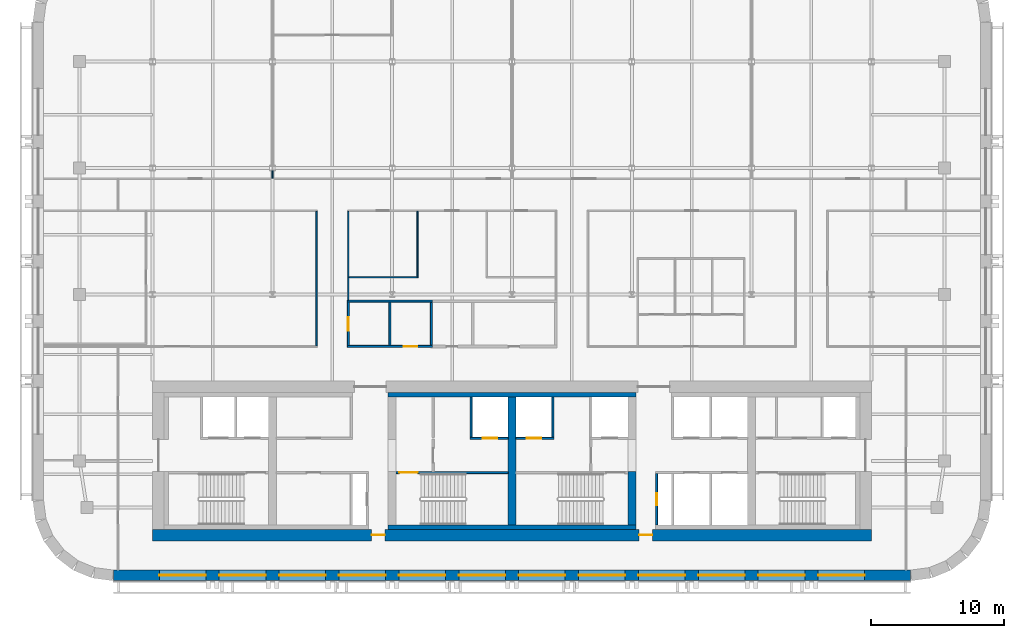
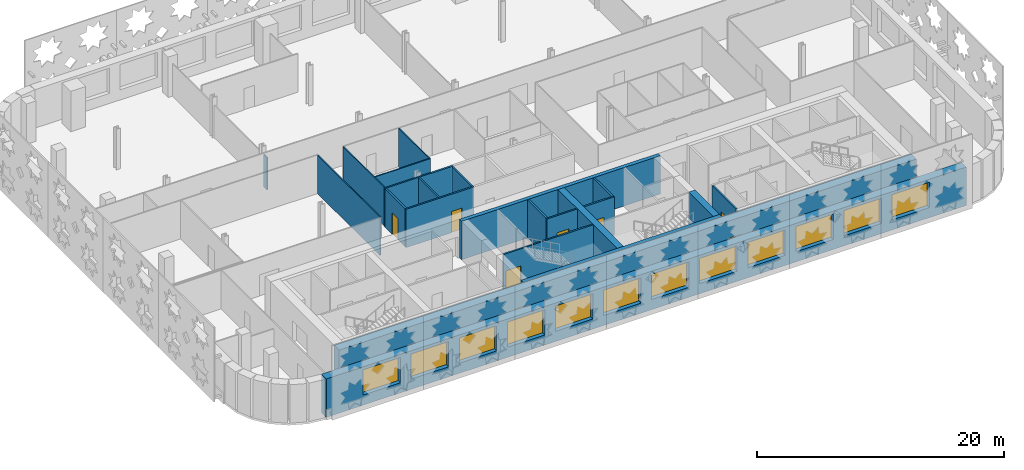
# One storey, part 4 of 12: 22 walls, 12 windows, 8 doors, 20 openings.
"""IFC4 building model written with IfcOpenShell, lengths in metres."""

from ifc_helpers import new_model, si_unit, direction, frame, frame_2d, origin, place, context, subcontext, project, spatial, rectangle, extrude, material, layer, layer_set, type_object, element, fill, save


model = new_model("IFC4")

# Units and contexts
model_context = context("Model", 3, precision=1e-05, world=origin(), true_north=direction((0.0, 1.0)))
body_context = subcontext(model_context, "Body", "Model", "MODEL_VIEW")
ifc_project = project(units=[si_unit("LENGTHUNIT", "METRE"), si_unit("AREAUNIT", "SQUARE_METRE"), si_unit("VOLUMEUNIT", "CUBIC_METRE"), si_unit("PLANEANGLEUNIT", "RADIAN"), si_unit("MASSUNIT", "GRAM", prefix="KILO")], contexts=[model_context])

# Site, building, storey
site_placement = place(None, origin())
site = spatial("IfcSite", under=ifc_project, at=site_placement, CompositionType="ELEMENT")
building_placement = place(site_placement, origin())
building = spatial("IfcBuilding", under=site, at=building_placement, Name="Zellij Exchange Tower", CompositionType="ELEMENT")
storey_placement = place(building_placement, frame((0.0, 0.0, 204.5)))
storey = spatial("IfcBuildingStorey", under=building, at=storey_placement, Name="L47", CompositionType="ELEMENT", Elevation=204.5)

# Walls
ifc_material_1 = material(Name="Concrete C60/75", Category="concrete")
ifc_layer_1 = layer(ifc_material_1, 0.60009765625)
ifc_layer_set_1 = layer_set([ifc_layer_1], Name="Concrete C60/75")
wall_type_1 = type_object("IfcWallType", Name="CORE-CW 600 C60/75", PredefinedType="SHEAR", material=ifc_layer_set_1)
wall_1_placement = place(storey_placement, frame((0.0, -12.800048828125, 0.0), z_axis=(0.0, 0.0, 1.0), x_axis=(0.0, 1.0, 0.0)))
element("IfcWall", 1, at=wall_1_placement, inside=storey, type_object=wall_type_1, Name="Core cross wall x 0 L47", PredefinedType="SHEAR", context=body_context, shape_type="SweptSolid", body=[
    extrude(rectangle(XDim=9.60009765625, YDim=0.60009765625, at=frame_2d((4.800048828125, 0.0))), origin(), (0.0, 0.0, 1.0), 3.800048828125),
])
wall_2_placement = place(storey_placement, frame((9.0, -12.800048828125, 0.0), z_axis=(0.0, 0.0, 1.0), x_axis=(0.0, 1.0, 0.0)))
element("IfcWall", 2, at=wall_2_placement, inside=storey, type_object=wall_type_1, Name="Core cross wall pier x 9 a L47", PredefinedType="SHEAR", context=body_context, shape_type="SweptSolid", body=[
    extrude(rectangle(XDim=4.0, YDim=0.60009765625, at=frame_2d((2.0, 0.0))), origin(), (0.0, 0.0, 1.0), 3.800048828125),
])
ifc_material_2 = material(Name="Concrete C30/37", Category="concrete")
ifc_layer_2 = layer(ifc_material_2, 0.35009765625)
ifc_layer_set_2 = layer_set([ifc_layer_2], Name="Concrete C30/37")
wall_type_2 = type_object("IfcWallType", Name="CORE-LW 350 C30/37", PredefinedType="SHEAR", material=ifc_layer_set_2)
for number, where, z_axis, x_axis, name in (
    (3, (-9.300048828125, -3.02490234375, 0.0), (0.0, 0.0, 1.0), (1.0, 0.0, 0.0), "Core wall lining front.1 L47"),
    (4, (-9.300048828125, -12.97509765625, 0.0), (0.0, 0.0, 1.0), (1.0, 0.0, 0.0), "Core wall lining rear.1 L47"),
):
    element("IfcWall", number, at=place(storey_placement, frame(where, z_axis=z_axis, x_axis=x_axis)), inside=storey, type_object=wall_type_2, Name=name, PredefinedType="SHEAR", context=body_context, shape_type="SweptSolid", body=[
        extrude(rectangle(XDim=18.60009765625, YDim=0.35009765625, at=frame_2d((9.300048828125, 0.0))), origin(), (0.0, 0.0, 1.0), 3.800048828125),
    ])

# Wall, opening, door
ifc_material_3 = material(Name="Gypsum board partition")
ifc_layer_3 = layer(ifc_material_3, 0.14990234375)
ifc_layer_set_3 = layer_set([ifc_layer_3], Name="Gypsum board partition")
wall_type_3 = type_object("IfcWallType", Name="CORE-PW 150 Lift lobby wall", PredefinedType="PARTITIONING", material=ifc_layer_set_3)
wall_3_placement = place(storey_placement, frame((10.875, -12.800048828125, 0.0), z_axis=(0.0, 0.0, 1.0), x_axis=(0.0, 1.0, 0.0)))
wall_3 = element("IfcWall", 5, at=wall_3_placement, inside=storey, type_object=wall_type_3, Name="Lift lobby wall L47", PredefinedType="PARTITIONING", context=body_context, shape_type="SweptSolid", body=[
    extrude(rectangle(XDim=3.85009765625, YDim=0.14990234375, at=frame_2d((1.925048828125, 0.0))), origin(), (0.0, 0.0, 1.0), 3.800048828125),
])
opening_1_placement = place(wall_3_placement, frame((1.47509765625, 0.0, 0.0)))
opening_1 = element("IfcOpeningElement", 6, at=opening_1_placement, cuts=wall_3, Name="Opening CA-24.19", PredefinedType="OPENING", context=body_context, shape_type="SweptSolid", body=[
    extrude(rectangle(XDim=0.89990234375, YDim=2.10009765625, at=frame_2d((0.449951171875, 1.050048828125))), frame((0.0, 0.0869140625, 0.0), z_axis=(0.0, -1.0, 0.0), x_axis=(1.0, 0.0, 0.0)), (0.0, 0.0, 1.0), 0.173828125),
])
ifc_material_4 = material(Name="Hollow metal fire door")
door_type_1 = type_object("IfcDoorType", Name="CORE-D RD Riser door 900x2100 1.5 HR", OperationType="NOTDEFINED", PredefinedType="DOOR", material=ifc_material_4)
door_1_placement = place(opening_1_placement, origin())
door_1 = element("IfcDoor", 7, at=door_1_placement, inside=storey, type_object=door_type_1, Name="Riser door CA-24.19", OperationType="SINGLE_SWING_LEFT", OverallHeight=2.10009765625, OverallWidth=0.89990234375, PredefinedType="DOOR", context=body_context, shape_type="SweptSolid", body=[
    extrude(rectangle(XDim=0.89990234375, YDim=2.10009765625, at=frame_2d((0.449951171875, 1.050048828125))), frame((0.0, 0.02490234375, 0.0), z_axis=(0.0, -1.0, 0.0), x_axis=(1.0, 0.0, 0.0)), (0.0, 0.0, 1.0), 0.050048828125),
])
fill(opening_1, door_1)

# Walls
ifc_material_5 = material(Name="Gypsum shaft wall system")
ifc_layer_4 = layer(ifc_material_5, 0.14990234375)
ifc_layer_set_4 = layer_set([ifc_layer_4], Name="Gypsum shaft wall system")
wall_type_4 = type_object("IfcWallType", Name="CORE-PW 150 Lift shaft wall", PredefinedType="PARTITIONING", material=ifc_layer_set_4)
for number, where, z_axis, x_axis, name in (
    (8, (-3.074951171875, -6.22509765625, 0.0), (0.0, 0.0, 1.0), (0.0, 1.0, 0.0), "Lift shaft wall L47"),
    (9, (3.074951171875, -6.22509765625, 0.0), (0.0, 0.0, 1.0), (0.0, 1.0, 0.0), "Lift shaft wall L47"),
):
    element("IfcWall", number, at=place(storey_placement, frame(where, z_axis=z_axis, x_axis=x_axis)), inside=storey, type_object=wall_type_4, Name=name, PredefinedType="PARTITIONING", context=body_context, shape_type="SweptSolid", body=[
        extrude(rectangle(XDim=3.025146484375, YDim=0.14990234375, at=frame_2d((1.5126953125, 0.0))), origin(), (0.0, 0.0, 1.0), 3.800048828125),
    ])

# Wall, opening, door
wall_4_placement = place(storey_placement, frame((-3.14990234375, -6.300048828125, 0.0), z_axis=(0.0, 0.0, 1.0), x_axis=(1.0, 0.0, 0.0)))
wall_4 = element("IfcWall", 10, at=wall_4_placement, inside=storey, type_object=wall_type_4, Name="Lift shaft wall L47", PredefinedType="PARTITIONING", context=body_context, shape_type="SweptSolid", body=[
    extrude(rectangle(XDim=2.849853515625, YDim=0.14990234375, at=frame_2d((1.4248046875, 0.0))), origin(), (0.0, 0.0, 1.0), 3.800048828125),
])
opening_2_placement = place(wall_4_placement, frame((0.949951171875, 0.0, 0.0)))
opening_2 = element("IfcOpeningElement", 11, at=opening_2_placement, cuts=wall_4, Name="Opening CA-24.12", PredefinedType="OPENING", context=body_context, shape_type="SweptSolid", body=[
    extrude(rectangle(XDim=1.10009765625, YDim=2.10009765625, at=frame_2d((0.550048828125, 1.050048828125))), frame((0.0, 0.0869140625, 0.0), z_axis=(0.0, -1.0, 0.0), x_axis=(1.0, 0.0, 0.0)), (0.0, 0.0, 1.0), 0.173828125),
])
door_type_2 = type_object("IfcDoorType", Name="CORE-D LD Lift landing door 1100x2100 1.5 HR", OperationType="NOTDEFINED", PredefinedType="DOOR", material=ifc_material_4)
door_2_placement = place(opening_2_placement, origin())
door_2 = element("IfcDoor", 12, at=door_2_placement, inside=storey, type_object=door_type_2, Name="Lift landing door CA-24.12", OperationType="SLIDING_TO_RIGHT", OverallHeight=2.10009765625, OverallWidth=1.10009765625, PredefinedType="DOOR", context=body_context, shape_type="SweptSolid", body=[
    extrude(rectangle(XDim=1.10009765625, YDim=2.10009765625, at=frame_2d((0.550048828125, 1.050048828125))), frame((0.0, 0.02490234375, 0.0), z_axis=(0.0, -1.0, 0.0), x_axis=(1.0, 0.0, 0.0)), (0.0, 0.0, 1.0), 0.050048828125),
])
fill(opening_2, door_2)

wall_5_placement = place(storey_placement, frame((0.300048828125, -6.300048828125, 0.0), z_axis=(0.0, 0.0, 1.0), x_axis=(1.0, 0.0, 0.0)))
wall_5 = element("IfcWall", 13, at=wall_5_placement, inside=storey, type_object=wall_type_4, Name="Lift shaft wall L47", PredefinedType="PARTITIONING", context=body_context, shape_type="SweptSolid", body=[
    extrude(rectangle(XDim=2.849853515625, YDim=0.14990234375, at=frame_2d((1.4248046875, 0.0))), origin(), (0.0, 0.0, 1.0), 3.800048828125),
])
opening_3_placement = place(wall_5_placement, frame((0.800048828125, 0.0, 0.0)))
opening_3 = element("IfcOpeningElement", 14, at=opening_3_placement, cuts=wall_5, Name="Opening CA-24.13", PredefinedType="OPENING", context=body_context, shape_type="SweptSolid", body=[
    extrude(rectangle(XDim=1.10009765625, YDim=2.10009765625, at=frame_2d((0.550048828125, 1.050048828125))), frame((0.0, 0.0869140625, 0.0), z_axis=(0.0, -1.0, 0.0), x_axis=(1.0, 0.0, 0.0)), (0.0, 0.0, 1.0), 0.173828125),
])
door_3_placement = place(opening_3_placement, origin())
door_3 = element("IfcDoor", 15, at=door_3_placement, inside=storey, type_object=door_type_2, Name="Lift landing door CA-24.13", OperationType="SLIDING_TO_LEFT", OverallHeight=2.10009765625, OverallWidth=1.10009765625, PredefinedType="DOOR", context=body_context, shape_type="SweptSolid", body=[
    extrude(rectangle(XDim=1.10009765625, YDim=2.10009765625, at=frame_2d((0.550048828125, 1.050048828125))), frame((0.0, 0.02490234375, 0.0), z_axis=(0.0, -1.0, 0.0), x_axis=(1.0, 0.0, 0.0)), (0.0, 0.0, 1.0), 0.050048828125),
])
fill(opening_3, door_3)

# Wall, openings, doors
ifc_layer_5 = layer(ifc_material_1, 0.85009765625)
ifc_layer_set_5 = layer_set([ifc_layer_5], Name="Concrete C60/75")
wall_type_5 = type_object("IfcWallType", Name="CORE-SW 850 C60/75", PredefinedType="SHEAR", material=ifc_layer_set_5)
wall_6_placement = place(storey_placement, frame((-27.0, -13.574951171875, 0.0), z_axis=(0.0, 0.0, 1.0), x_axis=(1.0, 0.0, 0.0)))
wall_6 = element("IfcWall", 16, at=wall_6_placement, inside=storey, type_object=wall_type_5, Name="Core shear wall rear L47", PredefinedType="SHEAR", context=body_context, shape_type="SweptSolid", body=[
    extrude(rectangle(XDim=54.0, YDim=0.85009765625, at=frame_2d((27.0, 0.0))), origin(), (0.0, 0.0, 1.0), 3.800048828125),
])
opening_4_placement = place(wall_6_placement, frame((16.449951171875, 0.0, 0.0)))
opening_4 = element("IfcOpeningElement", 17, at=opening_4_placement, cuts=wall_6, Name="Opening CA-24.09", PredefinedType="OPENING", context=body_context, shape_type="SweptSolid", body=[
    extrude(rectangle(XDim=1.0, YDim=2.10009765625, at=frame_2d((0.5, 1.050048828125))), frame((0.0, 0.43701171875, 0.0), z_axis=(0.0, -1.0, 0.0), x_axis=(1.0, 0.0, 0.0)), (0.0, 0.0, 1.0), 0.8740234375),
])
opening_5_placement = place(wall_6_placement, frame((36.550048828125, 0.0, 0.0)))
opening_5 = element("IfcOpeningElement", 18, at=opening_5_placement, cuts=wall_6, Name="Opening CA-24.17", PredefinedType="OPENING", context=body_context, shape_type="SweptSolid", body=[
    extrude(rectangle(XDim=1.0, YDim=2.10009765625, at=frame_2d((0.5, 1.050048828125))), frame((0.0, 0.43701171875, 0.0), z_axis=(0.0, -1.0, 0.0), x_axis=(1.0, 0.0, 0.0)), (0.0, 0.0, 1.0), 0.8740234375),
])
door_type_3 = type_object("IfcDoorType", Name="CORE-D CR Core rear door 1000x2100 20 MIN", OperationType="NOTDEFINED", PredefinedType="DOOR", material=ifc_material_4)
door_4_placement = place(opening_4_placement, origin())
door_4 = element("IfcDoor", 19, at=door_4_placement, inside=storey, type_object=door_type_3, Name="Core rear door CA-24.09", OperationType="SINGLE_SWING_RIGHT", OverallHeight=2.10009765625, OverallWidth=1.0, PredefinedType="DOOR", context=body_context, shape_type="SweptSolid", body=[
    extrude(rectangle(XDim=1.0, YDim=2.10009765625, at=frame_2d((0.5, 1.050048828125))), frame((0.0, 0.02490234375, 0.0), z_axis=(0.0, -1.0, 0.0), x_axis=(1.0, 0.0, 0.0)), (0.0, 0.0, 1.0), 0.050048828125),
])
fill(opening_4, door_4)
door_5_placement = place(opening_5_placement, origin())
door_5 = element("IfcDoor", 20, at=door_5_placement, inside=storey, type_object=door_type_3, Name="Core rear door CA-24.17", OperationType="SINGLE_SWING_LEFT", OverallHeight=2.10009765625, OverallWidth=1.0, PredefinedType="DOOR", context=body_context, shape_type="SweptSolid", body=[
    extrude(rectangle(XDim=1.0, YDim=2.10009765625, at=frame_2d((0.5, 1.050048828125))), frame((0.0, 0.02490234375, 0.0), z_axis=(0.0, -1.0, 0.0), x_axis=(1.0, 0.0, 0.0)), (0.0, 0.0, 1.0), 0.050048828125),
])
fill(opening_5, door_5)

# Wall, opening, door
ifc_layer_6 = layer(ifc_material_1, 0.14990234375)
ifc_layer_set_6 = layer_set([ifc_layer_6], Name="Concrete C60/75")
wall_type_6 = type_object("IfcWallType", Name="CORE-SWS 150 C60/75", PredefinedType="SHEAR", material=ifc_layer_set_6)
wall_7_placement = place(storey_placement, frame((-8.699951171875, -8.875, 0.0), z_axis=(0.0, 0.0, 1.0), x_axis=(1.0, 0.0, 0.0)))
wall_7 = element("IfcWall", 21, at=wall_7_placement, inside=storey, type_object=wall_type_6, Name="Stair enclosure wall L47", PredefinedType="SHEAR", context=body_context, shape_type="SweptSolid", body=[
    extrude(rectangle(XDim=8.39990234375, YDim=0.14990234375, at=frame_2d((4.199951171875, 0.0))), origin(), (0.0, 0.0, 1.0), 3.800048828125),
])
opening_6_placement = place(wall_7_placement, frame((0.22509765625, 0.0, 0.0)))
opening_6 = element("IfcOpeningElement", 22, at=opening_6_placement, cuts=wall_7, Name="Opening CA-24.10", PredefinedType="OPENING", context=body_context, shape_type="SweptSolid", body=[
    extrude(rectangle(XDim=1.39990234375, YDim=2.10009765625, at=frame_2d((0.699951171875, 1.050048828125))), frame((0.0, 0.0869140625, 0.0), z_axis=(0.0, -1.0, 0.0), x_axis=(1.0, 0.0, 0.0)), (0.0, 0.0, 1.0), 0.173828125),
])
door_type_4 = type_object("IfcDoorType", Name="CORE-D SD Stair door 1400x2100 1.5 HR", OperationType="NOTDEFINED", PredefinedType="DOOR", material=ifc_material_4)
door_6_placement = place(opening_6_placement, origin())
door_6 = element("IfcDoor", 23, at=door_6_placement, inside=storey, type_object=door_type_4, Name="Stair door CA-24.10", OperationType="DOUBLE_DOOR_SINGLE_SWING", OverallHeight=2.10009765625, OverallWidth=1.39990234375, PredefinedType="DOOR", context=body_context, shape_type="SweptSolid", body=[
    extrude(rectangle(XDim=1.39990234375, YDim=2.10009765625, at=frame_2d((0.699951171875, 1.050048828125))), frame((0.0, 0.02490234375, 0.0), z_axis=(0.0, -1.0, 0.0), x_axis=(1.0, 0.0, 0.0)), (0.0, 0.0, 1.0), 0.050048828125),
])
fill(opening_6, door_6)

# Wall, openings, windows
ifc_material_6 = material(Name="Precast concrete C40/50", Category="concrete")
ifc_layer_7 = layer(ifc_material_6, 0.800048828125)
ifc_layer_set_7 = layer_set([ifc_layer_7], Name="Precast concrete C40/50")
wall_type_7 = type_object("IfcWallType", Name="ENV-EW1 Precast stone-piered wall 800", PredefinedType="SOLIDWALL", material=ifc_layer_set_7)
wall_8_placement = place(storey_placement, frame((-29.947509765625, -16.60009765625, 0.0), z_axis=(0.0, 0.0, 1.0), x_axis=(1.0, 0.0, 0.0)))
wall_8 = element("IfcWall", 24, at=wall_8_placement, inside=storey, type_object=wall_type_7, Name="fac.L47.00", PredefinedType="SOLIDWALL", context=body_context, shape_type="SweptSolid", body=[
    extrude(rectangle(XDim=59.89501953125, YDim=0.800048828125, at=frame_2d((29.947509765625, 0.0))), origin(), (0.0, 0.0, 1.0), 3.800048828125),
])
opening_7_placement = place(wall_8_placement, frame((3.447509765625, 0.0, 1.0)))
opening_7 = element("IfcOpeningElement", 25, at=opening_7_placement, cuts=wall_8, Name="Opening FZ3.01", PredefinedType="OPENING", context=body_context, shape_type="SweptSolid", body=[
    extrude(rectangle(XDim=3.5, YDim=2.5, at=frame_2d((1.75, 1.25))), frame((0.0, 0.412109375, 0.0), z_axis=(0.0, -1.0, 0.0), x_axis=(1.0, 0.0, 0.0)), (0.0, 0.0, 1.0), 0.823974609375),
])
opening_8_placement = place(wall_8_placement, frame((7.947509765625, 0.0, 1.0)))
opening_8 = element("IfcOpeningElement", 26, at=opening_8_placement, cuts=wall_8, Name="Opening FZ3.02", PredefinedType="OPENING", context=body_context, shape_type="SweptSolid", body=[
    extrude(rectangle(XDim=3.5, YDim=2.5, at=frame_2d((1.75, 1.25))), frame((0.0, 0.412109375, 0.0), z_axis=(0.0, -1.0, 0.0), x_axis=(1.0, 0.0, 0.0)), (0.0, 0.0, 1.0), 0.823974609375),
])
opening_9_placement = place(wall_8_placement, frame((12.447509765625, 0.0, 1.0)))
opening_9 = element("IfcOpeningElement", 27, at=opening_9_placement, cuts=wall_8, Name="Opening FZ3.03", PredefinedType="OPENING", context=body_context, shape_type="SweptSolid", body=[
    extrude(rectangle(XDim=3.5, YDim=2.5, at=frame_2d((1.75, 1.25))), frame((0.0, 0.412109375, 0.0), z_axis=(0.0, -1.0, 0.0), x_axis=(1.0, 0.0, 0.0)), (0.0, 0.0, 1.0), 0.823974609375),
])
opening_10_placement = place(wall_8_placement, frame((16.947509765625, 0.0, 1.0)))
opening_10 = element("IfcOpeningElement", 28, at=opening_10_placement, cuts=wall_8, Name="Opening FZ3.04", PredefinedType="OPENING", context=body_context, shape_type="SweptSolid", body=[
    extrude(rectangle(XDim=3.5, YDim=2.5, at=frame_2d((1.75, 1.25))), frame((0.0, 0.412109375, 0.0), z_axis=(0.0, -1.0, 0.0), x_axis=(1.0, 0.0, 0.0)), (0.0, 0.0, 1.0), 0.823974609375),
])
opening_11_placement = place(wall_8_placement, frame((21.447509765625, 0.0, 1.0)))
opening_11 = element("IfcOpeningElement", 29, at=opening_11_placement, cuts=wall_8, Name="Opening FZ3.05", PredefinedType="OPENING", context=body_context, shape_type="SweptSolid", body=[
    extrude(rectangle(XDim=3.5, YDim=2.5, at=frame_2d((1.75, 1.25))), frame((0.0, 0.412109375, 0.0), z_axis=(0.0, -1.0, 0.0), x_axis=(1.0, 0.0, 0.0)), (0.0, 0.0, 1.0), 0.823974609375),
])
opening_12_placement = place(wall_8_placement, frame((25.947509765625, 0.0, 1.0)))
opening_12 = element("IfcOpeningElement", 30, at=opening_12_placement, cuts=wall_8, Name="Opening FZ3.06", PredefinedType="OPENING", context=body_context, shape_type="SweptSolid", body=[
    extrude(rectangle(XDim=3.5, YDim=2.5, at=frame_2d((1.75, 1.25))), frame((0.0, 0.412109375, 0.0), z_axis=(0.0, -1.0, 0.0), x_axis=(1.0, 0.0, 0.0)), (0.0, 0.0, 1.0), 0.823974609375),
])
opening_13_placement = place(wall_8_placement, frame((30.447509765625, 0.0, 1.0)))
opening_13 = element("IfcOpeningElement", 31, at=opening_13_placement, cuts=wall_8, Name="Opening FZ3.07", PredefinedType="OPENING", context=body_context, shape_type="SweptSolid", body=[
    extrude(rectangle(XDim=3.5, YDim=2.5, at=frame_2d((1.75, 1.25))), frame((0.0, 0.412109375, 0.0), z_axis=(0.0, -1.0, 0.0), x_axis=(1.0, 0.0, 0.0)), (0.0, 0.0, 1.0), 0.823974609375),
])
opening_14_placement = place(wall_8_placement, frame((34.947509765625, 0.0, 1.0)))
opening_14 = element("IfcOpeningElement", 32, at=opening_14_placement, cuts=wall_8, Name="Opening FZ3.08", PredefinedType="OPENING", context=body_context, shape_type="SweptSolid", body=[
    extrude(rectangle(XDim=3.5, YDim=2.5, at=frame_2d((1.75, 1.25))), frame((0.0, 0.412109375, 0.0), z_axis=(0.0, -1.0, 0.0), x_axis=(1.0, 0.0, 0.0)), (0.0, 0.0, 1.0), 0.823974609375),
])
opening_15_placement = place(wall_8_placement, frame((39.447509765625, 0.0, 1.0)))
opening_15 = element("IfcOpeningElement", 33, at=opening_15_placement, cuts=wall_8, Name="Opening FZ3.09", PredefinedType="OPENING", context=body_context, shape_type="SweptSolid", body=[
    extrude(rectangle(XDim=3.5, YDim=2.5, at=frame_2d((1.75, 1.25))), frame((0.0, 0.412109375, 0.0), z_axis=(0.0, -1.0, 0.0), x_axis=(1.0, 0.0, 0.0)), (0.0, 0.0, 1.0), 0.823974609375),
])
opening_16_placement = place(wall_8_placement, frame((43.947509765625, 0.0, 1.0)))
opening_16 = element("IfcOpeningElement", 34, at=opening_16_placement, cuts=wall_8, Name="Opening FZ3.10", PredefinedType="OPENING", context=body_context, shape_type="SweptSolid", body=[
    extrude(rectangle(XDim=3.5, YDim=2.5, at=frame_2d((1.75, 1.25))), frame((0.0, 0.412109375, 0.0), z_axis=(0.0, -1.0, 0.0), x_axis=(1.0, 0.0, 0.0)), (0.0, 0.0, 1.0), 0.823974609375),
])
opening_17_placement = place(wall_8_placement, frame((48.447509765625, 0.0, 1.0)))
opening_17 = element("IfcOpeningElement", 35, at=opening_17_placement, cuts=wall_8, Name="Opening FZ3.11", PredefinedType="OPENING", context=body_context, shape_type="SweptSolid", body=[
    extrude(rectangle(XDim=3.5, YDim=2.5, at=frame_2d((1.75, 1.25))), frame((0.0, 0.412109375, 0.0), z_axis=(0.0, -1.0, 0.0), x_axis=(1.0, 0.0, 0.0)), (0.0, 0.0, 1.0), 0.823974609375),
])
opening_18_placement = place(wall_8_placement, frame((52.947509765625, 0.0, 1.0)))
opening_18 = element("IfcOpeningElement", 36, at=opening_18_placement, cuts=wall_8, Name="Opening FZ3.12", PredefinedType="OPENING", context=body_context, shape_type="SweptSolid", body=[
    extrude(rectangle(XDim=3.5, YDim=2.5, at=frame_2d((1.75, 1.25))), frame((0.0, 0.412109375, 0.0), z_axis=(0.0, -1.0, 0.0), x_axis=(1.0, 0.0, 0.0)), (0.0, 0.0, 1.0), 0.823974609375),
])
ifc_material_7 = material(Name="Aluminium frame with insulating glass", Category="aluminium")
window_type = type_object("IfcWindowType", Name="ENV-W1 Window 3500x2500", PartitioningType="SINGLE_PANEL", PredefinedType="WINDOW", material=ifc_material_7)
window_1_placement = place(opening_7_placement, origin())
window_1 = element("IfcWindow", 37, at=window_1_placement, inside=storey, type_object=window_type, Name="Window FZ3.01", OverallHeight=2.5, OverallWidth=3.5, PartitioningType="SINGLE_PANEL", PredefinedType="WINDOW", context=body_context, shape_type="SweptSolid", body=[
    extrude(rectangle(XDim=3.5, YDim=2.5, at=frame_2d((1.75, 1.25))), frame((0.0, 0.030029296875, 0.0), z_axis=(0.0, -1.0, 0.0), x_axis=(1.0, 0.0, 0.0)), (0.0, 0.0, 1.0), 0.06005859375),
])
fill(opening_7, window_1)
window_2_placement = place(opening_8_placement, origin())
window_2 = element("IfcWindow", 38, at=window_2_placement, inside=storey, type_object=window_type, Name="Window FZ3.02", OverallHeight=2.5, OverallWidth=3.5, PartitioningType="SINGLE_PANEL", PredefinedType="WINDOW", context=body_context, shape_type="SweptSolid", body=[
    extrude(rectangle(XDim=3.5, YDim=2.5, at=frame_2d((1.75, 1.25))), frame((0.0, 0.030029296875, 0.0), z_axis=(0.0, -1.0, 0.0), x_axis=(1.0, 0.0, 0.0)), (0.0, 0.0, 1.0), 0.06005859375),
])
fill(opening_8, window_2)
window_3_placement = place(opening_9_placement, origin())
window_3 = element("IfcWindow", 39, at=window_3_placement, inside=storey, type_object=window_type, Name="Window FZ3.03", OverallHeight=2.5, OverallWidth=3.5, PartitioningType="SINGLE_PANEL", PredefinedType="WINDOW", context=body_context, shape_type="SweptSolid", body=[
    extrude(rectangle(XDim=3.5, YDim=2.5, at=frame_2d((1.75, 1.25))), frame((0.0, 0.030029296875, 0.0), z_axis=(0.0, -1.0, 0.0), x_axis=(1.0, 0.0, 0.0)), (0.0, 0.0, 1.0), 0.06005859375),
])
fill(opening_9, window_3)
window_4_placement = place(opening_10_placement, origin())
window_4 = element("IfcWindow", 40, at=window_4_placement, inside=storey, type_object=window_type, Name="Window FZ3.04", OverallHeight=2.5, OverallWidth=3.5, PartitioningType="SINGLE_PANEL", PredefinedType="WINDOW", context=body_context, shape_type="SweptSolid", body=[
    extrude(rectangle(XDim=3.5, YDim=2.5, at=frame_2d((1.75, 1.25))), frame((0.0, 0.030029296875, 0.0), z_axis=(0.0, -1.0, 0.0), x_axis=(1.0, 0.0, 0.0)), (0.0, 0.0, 1.0), 0.06005859375),
])
fill(opening_10, window_4)
window_5_placement = place(opening_11_placement, origin())
window_5 = element("IfcWindow", 41, at=window_5_placement, inside=storey, type_object=window_type, Name="Window FZ3.05", OverallHeight=2.5, OverallWidth=3.5, PartitioningType="SINGLE_PANEL", PredefinedType="WINDOW", context=body_context, shape_type="SweptSolid", body=[
    extrude(rectangle(XDim=3.5, YDim=2.5, at=frame_2d((1.75, 1.25))), frame((0.0, 0.030029296875, 0.0), z_axis=(0.0, -1.0, 0.0), x_axis=(1.0, 0.0, 0.0)), (0.0, 0.0, 1.0), 0.06005859375),
])
fill(opening_11, window_5)
window_6_placement = place(opening_12_placement, origin())
window_6 = element("IfcWindow", 42, at=window_6_placement, inside=storey, type_object=window_type, Name="Window FZ3.06", OverallHeight=2.5, OverallWidth=3.5, PartitioningType="SINGLE_PANEL", PredefinedType="WINDOW", context=body_context, shape_type="SweptSolid", body=[
    extrude(rectangle(XDim=3.5, YDim=2.5, at=frame_2d((1.75, 1.25))), frame((0.0, 0.030029296875, 0.0), z_axis=(0.0, -1.0, 0.0), x_axis=(1.0, 0.0, 0.0)), (0.0, 0.0, 1.0), 0.06005859375),
])
fill(opening_12, window_6)
window_7_placement = place(opening_13_placement, origin())
window_7 = element("IfcWindow", 43, at=window_7_placement, inside=storey, type_object=window_type, Name="Window FZ3.07", OverallHeight=2.5, OverallWidth=3.5, PartitioningType="SINGLE_PANEL", PredefinedType="WINDOW", context=body_context, shape_type="SweptSolid", body=[
    extrude(rectangle(XDim=3.5, YDim=2.5, at=frame_2d((1.75, 1.25))), frame((0.0, 0.030029296875, 0.0), z_axis=(0.0, -1.0, 0.0), x_axis=(1.0, 0.0, 0.0)), (0.0, 0.0, 1.0), 0.06005859375),
])
fill(opening_13, window_7)
window_8_placement = place(opening_14_placement, origin())
window_8 = element("IfcWindow", 44, at=window_8_placement, inside=storey, type_object=window_type, Name="Window FZ3.08", OverallHeight=2.5, OverallWidth=3.5, PartitioningType="SINGLE_PANEL", PredefinedType="WINDOW", context=body_context, shape_type="SweptSolid", body=[
    extrude(rectangle(XDim=3.5, YDim=2.5, at=frame_2d((1.75, 1.25))), frame((0.0, 0.030029296875, 0.0), z_axis=(0.0, -1.0, 0.0), x_axis=(1.0, 0.0, 0.0)), (0.0, 0.0, 1.0), 0.06005859375),
])
fill(opening_14, window_8)
window_9_placement = place(opening_15_placement, origin())
window_9 = element("IfcWindow", 45, at=window_9_placement, inside=storey, type_object=window_type, Name="Window FZ3.09", OverallHeight=2.5, OverallWidth=3.5, PartitioningType="SINGLE_PANEL", PredefinedType="WINDOW", context=body_context, shape_type="SweptSolid", body=[
    extrude(rectangle(XDim=3.5, YDim=2.5, at=frame_2d((1.75, 1.25))), frame((0.0, 0.030029296875, 0.0), z_axis=(0.0, -1.0, 0.0), x_axis=(1.0, 0.0, 0.0)), (0.0, 0.0, 1.0), 0.06005859375),
])
fill(opening_15, window_9)
window_10_placement = place(opening_16_placement, origin())
window_10 = element("IfcWindow", 46, at=window_10_placement, inside=storey, type_object=window_type, Name="Window FZ3.10", OverallHeight=2.5, OverallWidth=3.5, PartitioningType="SINGLE_PANEL", PredefinedType="WINDOW", context=body_context, shape_type="SweptSolid", body=[
    extrude(rectangle(XDim=3.5, YDim=2.5, at=frame_2d((1.75, 1.25))), frame((0.0, 0.030029296875, 0.0), z_axis=(0.0, -1.0, 0.0), x_axis=(1.0, 0.0, 0.0)), (0.0, 0.0, 1.0), 0.06005859375),
])
fill(opening_16, window_10)
window_11_placement = place(opening_17_placement, origin())
window_11 = element("IfcWindow", 47, at=window_11_placement, inside=storey, type_object=window_type, Name="Window FZ3.11", OverallHeight=2.5, OverallWidth=3.5, PartitioningType="SINGLE_PANEL", PredefinedType="WINDOW", context=body_context, shape_type="SweptSolid", body=[
    extrude(rectangle(XDim=3.5, YDim=2.5, at=frame_2d((1.75, 1.25))), frame((0.0, 0.030029296875, 0.0), z_axis=(0.0, -1.0, 0.0), x_axis=(1.0, 0.0, 0.0)), (0.0, 0.0, 1.0), 0.06005859375),
])
fill(opening_17, window_11)
window_12_placement = place(opening_18_placement, origin())
window_12 = element("IfcWindow", 48, at=window_12_placement, inside=storey, type_object=window_type, Name="Window FZ3.12", OverallHeight=2.5, OverallWidth=3.5, PartitioningType="SINGLE_PANEL", PredefinedType="WINDOW", context=body_context, shape_type="SweptSolid", body=[
    extrude(rectangle(XDim=3.5, YDim=2.5, at=frame_2d((1.75, 1.25))), frame((0.0, 0.030029296875, 0.0), z_axis=(0.0, -1.0, 0.0), x_axis=(1.0, 0.0, 0.0)), (0.0, 0.0, 1.0), 0.06005859375),
])
fill(opening_18, window_12)

# Walls
ifc_material_8 = material(Name="Gypsum board partition on steel studs", Category="steel")
ifc_layer_8 = layer(ifc_material_8, 0.10009765625)
ifc_layer_set_8 = layer_set([ifc_layer_8], Name="Gypsum board partition on steel studs")
wall_type_8 = type_object("IfcWallType", Name="FIT-PARTITION-100", PredefinedType="PARTITIONING", material=ifc_layer_set_8)
wall_9_placement = place(storey_placement, frame((-14.699951171875, 0.64990234375, 0.0), z_axis=(0.0, 0.0, 1.0), x_axis=(0.0, 1.0, 0.0)))
element("IfcWall", 49, at=wall_9_placement, inside=storey, type_object=wall_type_8, Name="FIT-PARTITION-100 006", PredefinedType="PARTITIONING", context=body_context, shape_type="SweptSolid", body=[
    extrude(rectangle(XDim=10.10009765625, YDim=0.10009765625, at=frame_2d((5.050048828125, 0.0))), origin(), (0.0, 0.0, 1.0), 3.800048828125),
])
wall_10_placement = place(storey_placement, frame((-12.300048828125, 4.074951171875, 0.0), z_axis=(0.0, 0.0, 1.0), x_axis=(0.0, 1.0, 0.0)))
element("IfcWall", 50, at=wall_10_placement, inside=storey, type_object=wall_type_8, Name="FIT-PARTITION-100 027", PredefinedType="PARTITIONING", context=body_context, shape_type="SweptSolid", body=[
    extrude(rectangle(XDim=6.675048828125, YDim=0.10009765625, at=frame_2d((3.33740234375, 0.0))), origin(), (0.0, 0.0, 1.0), 3.800048828125),
])
wall_11_placement = place(storey_placement, frame((-12.25, 5.800048828125, 0.0), z_axis=(0.0, 0.0, 1.0), x_axis=(1.0, 0.0, 0.0)))
element("IfcWall", 51, at=wall_11_placement, inside=storey, type_object=wall_type_8, Name="FIT-PARTITION-100 030", PredefinedType="PARTITIONING", context=body_context, shape_type="SweptSolid", body=[
    extrude(rectangle(XDim=5.199951171875, YDim=0.10009765625, at=frame_2d((2.60009765625, 0.0))), origin(), (0.0, 0.0, 1.0), 3.800048828125),
])
wall_12_placement = place(storey_placement, frame((-7.10009765625, 5.85009765625, 0.0), z_axis=(0.0, 0.0, 1.0), x_axis=(0.0, 1.0, 0.0)))
element("IfcWall", 52, at=wall_12_placement, inside=storey, type_object=wall_type_8, Name="FIT-PARTITION-100 031", PredefinedType="PARTITIONING", context=body_context, shape_type="SweptSolid", body=[
    extrude(rectangle(XDim=4.89990234375, YDim=0.10009765625, at=frame_2d((2.449951171875, 0.0))), origin(), (0.0, 0.0, 1.0), 3.800048828125),
])
wall_13_placement = place(storey_placement, frame((-18.0, 13.25, 0.0), z_axis=(0.0, 0.0, 1.0), x_axis=(0.0, 1.0, 0.0)))
element("IfcWall", 53, at=wall_13_placement, inside=storey, type_object=wall_type_8, Name="FIT-PARTITION-100 042", PredefinedType="PARTITIONING", context=body_context, shape_type="SweptSolid", body=[
    extrude(rectangle(XDim=0.537841796875, YDim=0.10009765625, at=frame_2d((0.26904296875, 0.0))), origin(), (0.0, 0.0, 1.0), 3.19287109375),
])

# Wall, opening, door
ifc_material_9 = material(Name="Gypsum board shaft-wall partition", Category="gypsum")
ifc_layer_9 = layer(ifc_material_9, 0.14990234375)
ifc_layer_set_9 = layer_set([ifc_layer_9], Name="Gypsum board shaft-wall partition")
wall_type_9 = type_object("IfcWallType", Name="FIT-PARTITION-150-EI60", PredefinedType="PARTITIONING", material=ifc_layer_set_9)
wall_14_placement = place(storey_placement, frame((-12.375, 0.60009765625, 0.0), z_axis=(0.0, 0.0, 1.0), x_axis=(1.0, 0.0, 0.0)))
wall_14 = element("IfcWall", 54, at=wall_14_placement, inside=storey, type_object=wall_type_9, Name="FIT-PARTITION-150-EI60 007", PredefinedType="PARTITIONING", context=body_context, shape_type="SweptSolid", body=[
    extrude(rectangle(XDim=6.389892578125, YDim=0.14990234375, at=frame_2d((3.19482421875, 0.0))), origin(), (0.0, 0.0, 1.0), 3.800048828125),
])
opening_19_placement = place(wall_14_placement, frame((4.2451171875, 0.0, 0.0)))
opening_19 = element("IfcOpeningElement", 55, at=opening_19_placement, cuts=wall_14, Name="Opening O3E.05", PredefinedType="OPENING", context=body_context, shape_type="SweptSolid", body=[
    extrude(rectangle(XDim=1.0, YDim=2.10009765625, at=frame_2d((0.5, 1.050048828125))), frame((0.0, 0.0869140625, 0.0), z_axis=(0.0, -1.0, 0.0), x_axis=(1.0, 0.0, 0.0)), (0.0, 0.0, 1.0), 0.173828125),
])
ifc_material_10 = material(Name="Steel fire door set", Category="steel")
door_type_5 = type_object("IfcDoorType", Name="FIT-D4-FIRE-1000X2100", OperationType="SINGLE_SWING_LEFT", PredefinedType="DOOR", material=ifc_material_10)
door_7_placement = place(opening_19_placement, origin())
door_7 = element("IfcDoor", 56, at=door_7_placement, inside=storey, type_object=door_type_5, Name="Door O3E.05", OperationType="SINGLE_SWING_LEFT", OverallHeight=2.10009765625, OverallWidth=1.0, PredefinedType="DOOR", context=body_context, shape_type="SweptSolid", body=[
    extrude(rectangle(XDim=1.0, YDim=2.10009765625, at=frame_2d((0.5, 1.050048828125))), frame((0.0, 0.02490234375, 0.0), z_axis=(0.0, -1.0, 0.0), x_axis=(1.0, 0.0, 0.0)), (0.0, 0.0, 1.0), 0.050048828125),
])
fill(opening_19, door_7)

wall_15_placement = place(storey_placement, frame((-12.300048828125, 0.675048828125, 0.0), z_axis=(0.0, 0.0, 1.0), x_axis=(0.0, 1.0, 0.0)))
wall_15 = element("IfcWall", 57, at=wall_15_placement, inside=storey, type_object=wall_type_9, Name="FIT-PARTITION-150-EI60 008", PredefinedType="PARTITIONING", context=body_context, shape_type="SweptSolid", body=[
    extrude(rectangle(XDim=3.25, YDim=0.14990234375, at=frame_2d((1.625, 0.0))), origin(), (0.0, 0.0, 1.0), 3.800048828125),
])
opening_20_placement = place(wall_15_placement, frame((1.125, 0.0, 0.0)))
opening_20 = element("IfcOpeningElement", 58, at=opening_20_placement, cuts=wall_15, Name="Opening O3E.09", PredefinedType="OPENING", context=body_context, shape_type="SweptSolid", body=[
    extrude(rectangle(XDim=1.0, YDim=2.10009765625, at=frame_2d((0.5, 1.050048828125))), frame((0.0, 0.0869140625, 0.0), z_axis=(0.0, -1.0, 0.0), x_axis=(1.0, 0.0, 0.0)), (0.0, 0.0, 1.0), 0.173828125),
])
door_8_placement = place(opening_20_placement, origin())
door_8 = element("IfcDoor", 59, at=door_8_placement, inside=storey, type_object=door_type_5, Name="Door O3E.09", OperationType="SINGLE_SWING_RIGHT", OverallHeight=2.10009765625, OverallWidth=1.0, PredefinedType="DOOR", context=body_context, shape_type="SweptSolid", body=[
    extrude(rectangle(XDim=1.0, YDim=2.10009765625, at=frame_2d((0.5, 1.050048828125))), frame((0.0, 0.02490234375, 0.0), z_axis=(0.0, -1.0, 0.0), x_axis=(1.0, 0.0, 0.0)), (0.0, 0.0, 1.0), 0.050048828125),
])
fill(opening_20, door_8)

# Walls
wall_16_placement = place(storey_placement, frame((-9.179931640625, 0.675048828125, 0.0), z_axis=(0.0, 0.0, 1.0), x_axis=(0.0, 1.0, 0.0)))
element("IfcWall", 60, at=wall_16_placement, inside=storey, type_object=wall_type_9, Name="FIT-PARTITION-150-EI60 009", PredefinedType="PARTITIONING", context=body_context, shape_type="SweptSolid", body=[
    extrude(rectangle(XDim=3.25, YDim=0.14990234375, at=frame_2d((1.625, 0.0))), origin(), (0.0, 0.0, 1.0), 3.800048828125),
])
wall_17_placement = place(storey_placement, frame((-6.06005859375, 0.699951171875, 0.0), z_axis=(0.0, 0.0, 1.0), x_axis=(0.0, 1.0, 0.0)))
element("IfcWall", 61, at=wall_17_placement, inside=storey, type_object=wall_type_9, Name="FIT-PARTITION-150-EI60 011", PredefinedType="PARTITIONING", context=body_context, shape_type="SweptSolid", body=[
    extrude(rectangle(XDim=3.199951171875, YDim=0.14990234375, at=frame_2d((1.60009765625, 0.0))), origin(), (0.0, 0.0, 1.0), 3.800048828125),
])
wall_18_placement = place(storey_placement, frame((-12.375, 4.0, 0.0), z_axis=(0.0, 0.0, 1.0), x_axis=(1.0, 0.0, 0.0)))
element("IfcWall", 62, at=wall_18_placement, inside=storey, type_object=wall_type_9, Name="FIT-PARTITION-150-EI60 026", PredefinedType="PARTITIONING", context=body_context, shape_type="SweptSolid", body=[
    extrude(rectangle(XDim=6.389892578125, YDim=0.14990234375, at=frame_2d((3.19482421875, 0.0))), origin(), (0.0, 0.0, 1.0), 3.800048828125),
])

save(model, "model.ifc")
